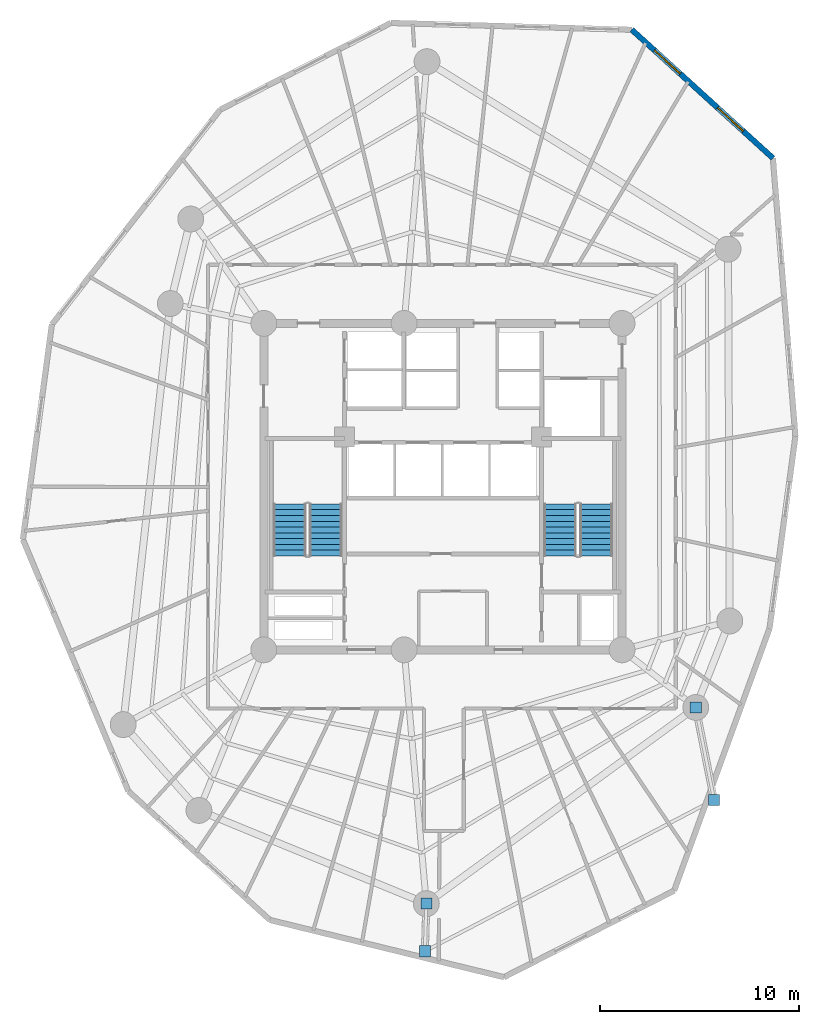
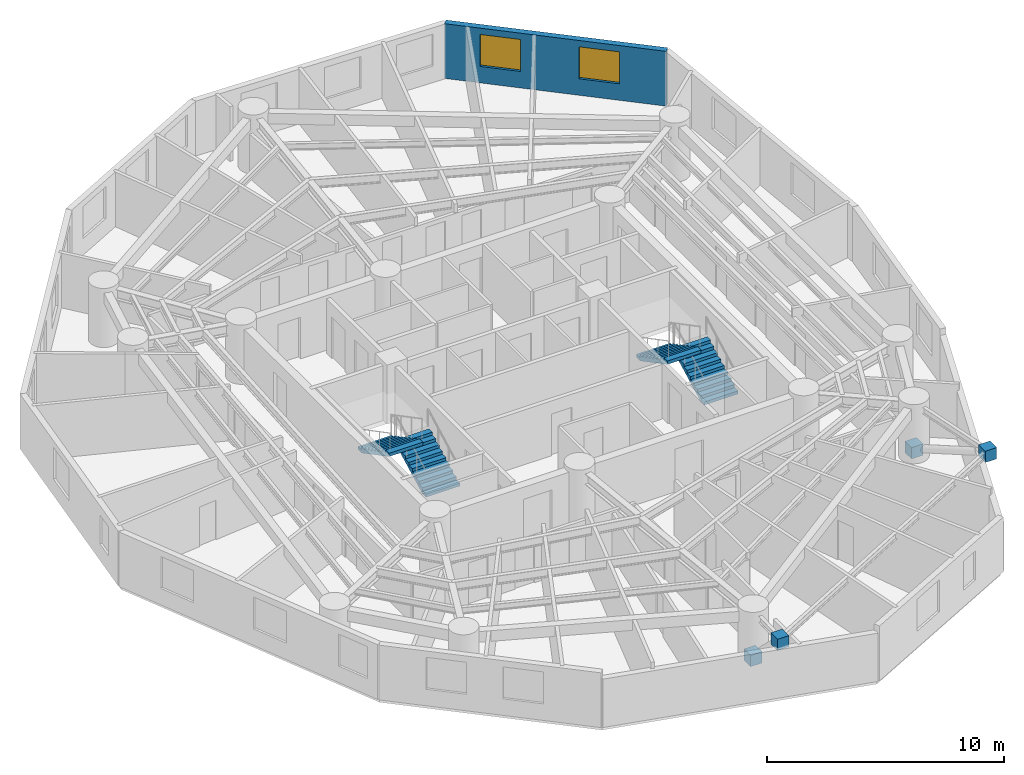
# One storey, part 7 of 8: 4 discrete accessories, 4 stair flights, 2 windows, 1 wall, 2 openings, 2 elements without a shape of their own.
"""IFC4 building model written with IfcOpenShell, lengths in metres."""

from ifc_helpers import new_model, si_unit, direction, frame, frame_2d, origin, origin_with_axes, origin_2d, place, context, subcontext, project, spatial, polyline, rectangle, outline, extrude, source, transform, mapped, material, layer, layer_set, type_object, element, fill, aggregate, save


model = new_model("IFC4")

# Units and contexts
model_context = context("Model", 3, precision=1e-05, world=origin(), true_north=direction((0.0, 1.0)))
body_context = subcontext(model_context, "Body", "Model", "MODEL_VIEW")
ifc_project = project(units=[si_unit("LENGTHUNIT", "METRE"), si_unit("AREAUNIT", "SQUARE_METRE"), si_unit("VOLUMEUNIT", "CUBIC_METRE"), si_unit("PLANEANGLEUNIT", "RADIAN"), si_unit("MASSUNIT", "GRAM", prefix="KILO")], contexts=[model_context])

# Site, building, storey
site_placement = place(None, origin())
site = spatial("IfcSite", under=ifc_project, at=site_placement, CompositionType="ELEMENT")
building_placement = place(site_placement, origin())
building = spatial("IfcBuilding", under=site, at=building_placement, Name="Karkom Vertical University and Central Library", CompositionType="ELEMENT")
storey_placement = place(building_placement, frame((0.0, 0.0, 168.75)))
storey = spatial("IfcBuildingStorey", under=building, at=storey_placement, Name="L48", CompositionType="ELEMENT", Elevation=168.75)

# Wall, openings, windows
ifc_material_1 = material(Name="Brick-faced precast concrete C45/55", Category="masonry")
ifc_layer = layer(ifc_material_1, 0.280029296875)
ifc_layer_set = layer_set([ifc_layer], Name="Brick-faced precast concrete C45/55")
wall_type = type_object("IfcWallType", Name="ENV-WL-BRK-280", PredefinedType="SOLIDWALL", material=ifc_layer_set)
wall_placement = place(storey_placement, frame((45.08447265625, 42.999755859375, 0.0), z_axis=(0.0, 0.0, 1.0), x_axis=(-0.739676368258, 0.672962755463, 0.0)))
wall = element("IfcWall", 1, at=wall_placement, inside=storey, type_object=wall_type, Name="Level 48 Brick-Faced Precast Facade Wall 09", PredefinedType="SOLIDWALL", context=body_context, shape_type="SweptSolid", body=[
    extrude(rectangle(XDim=9.59521484375, YDim=0.280029296875, at=frame_2d((4.797607421875, 0.0))), origin(), (0.0, 0.0, 1.0), 2.824951171875),
])
opening_1_placement = place(wall_placement, frame((2.020751953125, 0.0, 0.85009765625)))
opening_1 = element("IfcOpeningElement", 2, at=opening_1_placement, cuts=wall, Name="Opening WN-08", PredefinedType="OPENING", context=body_context, shape_type="SweptSolid", body=[
    extrude(rectangle(XDim=1.75, YDim=1.64990234375, at=frame_2d((0.875, 0.824951171875))), frame((0.0, 0.14990234375, 0.0), z_axis=(0.0, -1.0, 0.0), x_axis=(1.0, 0.0, 0.0)), (0.0, 0.0, 1.0), 0.300048828125),
])
opening_2_placement = place(wall_placement, frame((6.302001953125, 0.0, 0.85009765625)))
opening_2 = element("IfcOpeningElement", 3, at=opening_2_placement, cuts=wall, Name="Opening WN-08", PredefinedType="OPENING", context=body_context, shape_type="SweptSolid", body=[
    extrude(rectangle(XDim=1.75, YDim=1.64990234375, at=frame_2d((0.875, 0.824951171875))), frame((0.0, 0.14990234375, 0.0), z_axis=(0.0, -1.0, 0.0), x_axis=(1.0, 0.0, 0.0)), (0.0, 0.0, 1.0), 0.300048828125),
])
ifc_material_2 = material(Name="Aluminium thermal-break frame with solar-control IGU", Category="aluminium")
window_type = type_object("IfcWindowType", Name="ENV-WIN-WN-08", PartitioningType="SINGLE_PANEL", PredefinedType="WINDOW", material=ifc_material_2)
shared_shape_1 = source(origin_with_axes(), body_context, "Body", "SweptSolid", [
    extrude(rectangle(XDim=1.75, YDim=1.64990234375, at=frame_2d((0.875, 0.824951171875))), frame((0.0, 0.030029296875, 0.0), z_axis=(0.0, -1.0, 0.0), x_axis=(1.0, 0.0, 0.0)), (0.0, 0.0, 1.0), 0.06005859375),
])
window_1_placement = place(opening_1_placement, origin())
window_1 = element("IfcWindow", 4, at=window_1_placement, inside=storey, type_object=window_type, Name="Level 48 Punched Window 9.1", OverallHeight=1.64990234375, OverallWidth=1.75, PartitioningType="SINGLE_PANEL", PredefinedType="WINDOW", context=body_context, shape_type="MappedRepresentation", body=[
    mapped(shared_shape_1, transform((0.0, 0.0, 0.0), scale=1.0)),
])
fill(opening_1, window_1)
window_2_placement = place(opening_2_placement, origin())
window_2 = element("IfcWindow", 5, at=window_2_placement, inside=storey, type_object=window_type, Name="Level 48 Punched Window 9.2", OverallHeight=1.64990234375, OverallWidth=1.75, PartitioningType="SINGLE_PANEL", PredefinedType="WINDOW", context=body_context, shape_type="MappedRepresentation", body=[
    mapped(shared_shape_1, transform((0.0, 0.0, 0.0), scale=1.0)),
])
fill(opening_2, window_2)

# Stair, stair flights
ifc_material_3 = material(Name="Concrete C45/55", Category="concrete")
stair_type = type_object("IfcStairType", Name="INT-STR-ST-MAIN", PredefinedType="HALF_TURN_STAIR", material=ifc_material_3)
stair_1_placement = place(storey_placement, origin())
stair_1 = element("IfcStair", 6, at=stair_1_placement, inside=storey, type_object=stair_type, Name="Level 48 Tower Protected Exit Stair ST-1", PredefinedType="HALF_TURN_STAIR")
stair_flight_type = type_object("IfcStairFlightType", Name="INT-SFL-ST-MAIN", PredefinedType="STRAIGHT", material=ifc_material_3)
stair_flight_1_placement = place(storey_placement, frame((22.614990234375, 23.02001953125, 0.0), z_axis=(0.0, 0.0, 1.0), x_axis=(0.0, 1.0, 0.0)))
stair_flight_1 = element("IfcStairFlight", 7, at=stair_flight_1_placement, type_object=stair_flight_type, Name="ST-1 flight 1", NumberOfRisers=10, NumberOfTreads=9, PredefinedType="STRAIGHT", RiserHeight=0.1525, TreadLength=0.29, context=body_context, shape_type="SweptSolid", body=[
    extrude(outline(polyline([(0.0, 0.0), (0.0, 0.152587890625), (0.2900390625, 0.152587890625), (0.2900390625, 0.304931640625), (0.580078125, 0.304931640625), (0.580078125, 0.45751953125), (0.8701171875, 0.45751953125), (0.8701171875, 0.610107421875), (1.159912109375, 0.610107421875), (1.159912109375, 0.762451171875), (1.449951171875, 0.762451171875), (1.449951171875, 0.9150390625), (1.739990234375, 0.9150390625), (1.739990234375, 1.0673828125), (2.030029296875, 1.0673828125), (2.030029296875, 1.219970703125), (2.320068359375, 1.219970703125), (2.320068359375, 1.37255859375), (2.610107421875, 1.37255859375), (2.610107421875, 1.52490234375), (2.610107421875, 1.203125), (0.322021484375, 0.0), (0.0, 0.0)])), frame((0.0, 0.824951171875, 0.0), z_axis=(0.0, -1.0, 0.0), x_axis=(1.0, 0.0, 0.0)), (0.0, 0.0, 1.0), 1.64990234375),
])
stair_flight_2_placement = place(storey_placement, frame((20.804931640625, 25.6298828125, 1.52490234375), z_axis=(0.0, 0.0, 1.0), x_axis=(0.0, -1.0, 0.0)))
stair_flight_2 = element("IfcStairFlight", 8, at=stair_flight_2_placement, type_object=stair_flight_type, Name="ST-1 flight 2", NumberOfRisers=10, NumberOfTreads=9, PredefinedType="STRAIGHT", RiserHeight=0.1525, TreadLength=0.29, context=body_context, shape_type="SweptSolid", body=[
    extrude(outline(polyline([(0.0, 0.0), (0.0, 0.152587890625), (0.2900390625, 0.152587890625), (0.2900390625, 0.304931640625), (0.580078125, 0.304931640625), (0.580078125, 0.45751953125), (0.8701171875, 0.45751953125), (0.8701171875, 0.610107421875), (1.159912109375, 0.610107421875), (1.159912109375, 0.762451171875), (1.449951171875, 0.762451171875), (1.449951171875, 0.9150390625), (1.739990234375, 0.9150390625), (1.739990234375, 1.0673828125), (2.030029296875, 1.0673828125), (2.030029296875, 1.219970703125), (2.320068359375, 1.219970703125), (2.320068359375, 1.37255859375), (2.610107421875, 1.37255859375), (2.610107421875, 1.52490234375), (2.610107421875, 1.203125), (0.322021484375, 0.0), (0.0, 0.0)])), frame((0.0, 0.824951171875, 0.0), z_axis=(0.0, -1.0, 0.0), x_axis=(1.0, 0.0, 0.0)), (0.0, 0.0, 1.0), 1.64990234375),
])
aggregate(stair_1, [stair_flight_1, stair_flight_2])

stair_2_placement = place(storey_placement, origin())
stair_2 = element("IfcStair", 9, at=stair_2_placement, inside=storey, type_object=stair_type, Name="Level 48 Tower Protected Exit Stair ST-2", PredefinedType="HALF_TURN_STAIR")
stair_flight_3_placement = place(storey_placement, frame((36.195068359375, 23.02001953125, 0.0), z_axis=(0.0, 0.0, 1.0), x_axis=(0.0, 1.0, 0.0)))
stair_flight_3 = element("IfcStairFlight", 10, at=stair_flight_3_placement, type_object=stair_flight_type, Name="ST-2 flight 1", NumberOfRisers=10, NumberOfTreads=9, PredefinedType="STRAIGHT", RiserHeight=0.1525, TreadLength=0.29, context=body_context, shape_type="SweptSolid", body=[
    extrude(outline(polyline([(0.0, 0.0), (0.0, 0.152587890625), (0.2900390625, 0.152587890625), (0.2900390625, 0.304931640625), (0.580078125, 0.304931640625), (0.580078125, 0.45751953125), (0.8701171875, 0.45751953125), (0.8701171875, 0.610107421875), (1.159912109375, 0.610107421875), (1.159912109375, 0.762451171875), (1.449951171875, 0.762451171875), (1.449951171875, 0.9150390625), (1.739990234375, 0.9150390625), (1.739990234375, 1.0673828125), (2.030029296875, 1.0673828125), (2.030029296875, 1.219970703125), (2.320068359375, 1.219970703125), (2.320068359375, 1.37255859375), (2.610107421875, 1.37255859375), (2.610107421875, 1.52490234375), (2.610107421875, 1.203125), (0.322021484375, 0.0), (0.0, 0.0)])), frame((0.0, 0.824951171875, 0.0), z_axis=(0.0, -1.0, 0.0), x_axis=(1.0, 0.0, 0.0)), (0.0, 0.0, 1.0), 1.64990234375),
])
stair_flight_4_placement = place(storey_placement, frame((34.385009765625, 25.6298828125, 1.52490234375), z_axis=(0.0, 0.0, 1.0), x_axis=(0.0, -1.0, 0.0)))
stair_flight_4 = element("IfcStairFlight", 11, at=stair_flight_4_placement, type_object=stair_flight_type, Name="ST-2 flight 2", NumberOfRisers=10, NumberOfTreads=9, PredefinedType="STRAIGHT", RiserHeight=0.1525, TreadLength=0.29, context=body_context, shape_type="SweptSolid", body=[
    extrude(outline(polyline([(0.0, 0.0), (0.0, 0.152587890625), (0.2900390625, 0.152587890625), (0.2900390625, 0.304931640625), (0.580078125, 0.304931640625), (0.580078125, 0.45751953125), (0.8701171875, 0.45751953125), (0.8701171875, 0.610107421875), (1.159912109375, 0.610107421875), (1.159912109375, 0.762451171875), (1.449951171875, 0.762451171875), (1.449951171875, 0.9150390625), (1.739990234375, 0.9150390625), (1.739990234375, 1.0673828125), (2.030029296875, 1.0673828125), (2.030029296875, 1.219970703125), (2.320068359375, 1.219970703125), (2.320068359375, 1.37255859375), (2.610107421875, 1.37255859375), (2.610107421875, 1.52490234375), (2.610107421875, 1.203125), (0.322021484375, 0.0), (0.0, 0.0)])), frame((0.0, 0.824951171875, 0.0), z_axis=(0.0, -1.0, 0.0), x_axis=(1.0, 0.0, 0.0)), (0.0, 0.0, 1.0), 1.64990234375),
])
aggregate(stair_2, [stair_flight_3, stair_flight_4])

# Discrete accessories
ifc_material_4 = material(Name="Ductile cast iron EN-GJS-400-15", Category="metal")
discrete_accessory_type = type_object("IfcDiscreteAccessoryType", Name="STR-ACC-NODECAP", PredefinedType="BRACKET", material=ifc_material_4)
shared_shape_2 = source(origin_with_axes(), body_context, "Body", "SweptSolid", [
    extrude(rectangle(XDim=0.56005859375, YDim=0.56005859375, at=origin_2d()), origin(), (0.0, 0.0, 1.0), 0.580078125),
])
for number, where, z_axis, x_axis, name in (
    (12, (27.666015625, 5.549072265625, 0.06005859375), (0.0, 0.0, 1.0), (1.0, 0.0, 0.0), "Level 48 Cast Node Connector L48-SKG-KNEE-1 A"),
    (13, (27.59326171875, 3.156494140625, 2.369873046875), (0.0, 0.0, 1.0), (1.0, 0.0, 0.0), "Level 48 Cast Node Connector L48-SKG-KNEE-1 B"),
    (14, (41.2041015625, 15.406005859375, 0.06005859375), (0.0, 0.0, 1.0), (1.0, 0.0, 0.0), "Level 48 Cast Node Connector L48-SKG-KNEE-2 A"),
    (15, (42.1220703125, 10.764892578125, 2.369873046875), (0.0, 0.0, 1.0), (1.0, 0.0, 0.0), "Level 48 Cast Node Connector L48-SKG-KNEE-2 B"),
):
    element("IfcDiscreteAccessory", number, at=place(storey_placement, frame(where, z_axis=z_axis, x_axis=x_axis)), inside=storey, type_object=discrete_accessory_type, Name=name, PredefinedType="BRACKET", context=body_context, shape_type="MappedRepresentation", body=[
        mapped(shared_shape_2, transform((0.0, 0.0, 0.0), scale=1.0)),
    ])

save(model, "model.ifc")
